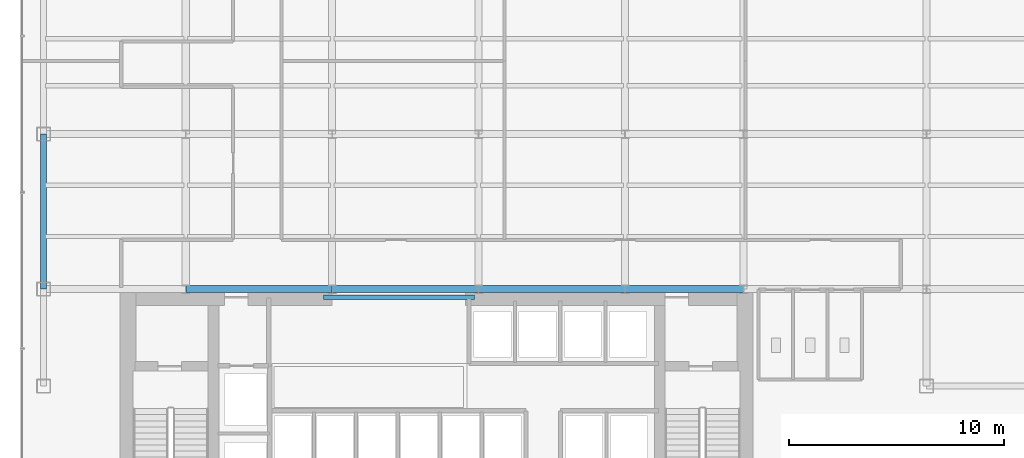
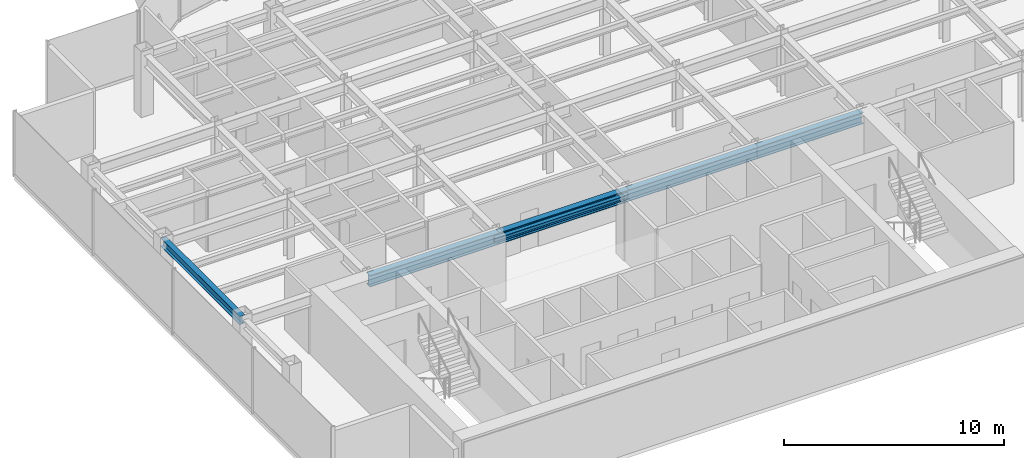
# One storey, part 4 of 25: 6 beams.
"""IFC4 building model written with IfcOpenShell, lengths in metres."""

from ifc_helpers import new_model, si_unit, derived_unit, direction, frame, origin, origin_2d, place, context, subcontext, project, spatial, i_section, extrude, source, transform, mapped, material, material_profile, profile_set, type_object, element, save


model = new_model("IFC4")

# Units and contexts
model_context = context("Model", 3, precision=1e-05, world=origin(), true_north=direction((0.0, 1.0)))
body_context = subcontext(model_context, "Body", "Model", "MODEL_VIEW")
ifc_project = project(units=[si_unit("LENGTHUNIT", "METRE"), si_unit("AREAUNIT", "SQUARE_METRE"), si_unit("VOLUMEUNIT", "CUBIC_METRE"), si_unit("PLANEANGLEUNIT", "RADIAN"), si_unit("MASSUNIT", "GRAM", prefix="KILO"), derived_unit("THERMALTRANSMITTANCEUNIT", [(si_unit("POWERUNIT", "WATT"), 1), (si_unit("LENGTHUNIT", "METRE"), -2), (si_unit("THERMODYNAMICTEMPERATUREUNIT", "KELVIN"), -1)])], contexts=[model_context])

# Site, building, storey
site_placement = place(None, origin())
site = spatial("IfcSite", under=ifc_project, at=site_placement, CompositionType="ELEMENT")
building_placement = place(site_placement, origin())
building = spatial("IfcBuilding", under=site, at=building_placement, Name="Skarnbrae Concourse Arena and Tower", CompositionType="ELEMENT")
storey_placement = place(building_placement, frame((0.0, 0.0, 169.800048828125)))
storey = spatial("IfcBuildingStorey", under=building, at=storey_placement, Name="L43", CompositionType="ELEMENT", Elevation=169.800048828125)

# Beams
ifc_material = material(Name="Steel CSA G40.21 350W", Category="steel")
ifc_material_profile_1 = material_profile(ifc_material, i_section(OverallWidth=0.202880859375, OverallDepth=0.251953125, WebThickness=0.008056640625, FlangeThickness=0.013427734375, at=origin_2d()), Name="W250X58")
ifc_profile_set_1 = profile_set([ifc_material_profile_1], Name="Steel CSA G40.21 350W")
beam_type_1 = type_object("IfcBeamType", Name="BM-LINTEL-W250X58", PredefinedType="LINTEL", material=ifc_profile_set_1)
shared_shape_1 = source(origin(), body_context, "Body", "SweptSolid", [
    extrude(i_section(OverallWidth=0.202880859375, OverallDepth=0.251953125, WebThickness=0.008056640625, FlangeThickness=0.013427734375, at=origin_2d()), origin(), (0.0, 0.0, 1.0), 7.0),
])
beam_1_placement = place(storey_placement, frame((14.0, 13.625, 3.27392578125), z_axis=(1.0, 0.0, 0.0), x_axis=(0.0, 1.0, 0.0)))
element("IfcBeam", 1, at=beam_1_placement, inside=storey, type_object=beam_type_1, Name="L43 Core portal coupling lintel", PredefinedType="LINTEL", context=body_context, shape_type="MappedRepresentation", body=[
    mapped(shared_shape_1, transform((0.0, 0.0, 0.0))),
])
ifc_material_profile_2 = material_profile(ifc_material, i_section(OverallWidth=0.3291015625, OverallDepth=0.635009765625, WebThickness=0.017822265625, FlangeThickness=0.031005859375, at=origin_2d()), Name="W610X241")
ifc_profile_set_2 = profile_set([ifc_material_profile_2], Name="Steel CSA G40.21 350W")
beam_type_2 = type_object("IfcBeamType", Name="BM-GIRD-W610X241", PredefinedType="BEAM", material=ifc_profile_set_2)
shared_shape_2 = source(origin(), body_context, "Body", "SweptSolid", [
    extrude(i_section(OverallWidth=0.3291015625, OverallDepth=0.635009765625, WebThickness=0.017822265625, FlangeThickness=0.031005859375, at=origin_2d()), origin(), (0.0, 0.0, 1.0), 6.7998046875),
])
beam_2_placement = place(storey_placement, frame((7.60009765625, 14.0, 3.08251953125), z_axis=(1.0, 0.0, 0.0), x_axis=(0.0, 1.0, 0.0)))
element("IfcBeam", 2, at=beam_2_placement, inside=storey, type_object=beam_type_2, Name="L43 Primary E-W girder Y14.0-2", PredefinedType="BEAM", context=body_context, shape_type="MappedRepresentation", body=[
    mapped(shared_shape_2, transform((0.0, 0.0, 0.0))),
])
shared_shape_3 = source(origin(), body_context, "Body", "SweptSolid", [
    extrude(i_section(OverallWidth=0.3291015625, OverallDepth=0.635009765625, WebThickness=0.017822265625, FlangeThickness=0.031005859375, at=origin_2d()), origin(), (0.0, 0.0, 1.0), 6.800048828125),
])
for number, where, z_axis, x_axis, name in (
    (3, (14.39990234375, 14.0, 3.08251953125), (1.0, 0.0, 0.0), (0.0, 1.0, 0.0), "L43 Primary E-W girder Y14.0-3"),
    (4, (21.199951171875, 14.0, 3.08251953125), (1.0, 0.0, 0.0), (0.0, 1.0, 0.0), "L43 Primary E-W girder Y14.0-4"),
):
    element("IfcBeam", number, at=place(storey_placement, frame(where, z_axis=z_axis, x_axis=x_axis)), inside=storey, type_object=beam_type_2, Name=name, PredefinedType="BEAM", context=body_context, shape_type="MappedRepresentation", body=[
        mapped(shared_shape_3, transform((0.0, 0.0, 0.0))),
    ])
shared_shape_4 = source(origin(), body_context, "Body", "SweptSolid", [
    extrude(i_section(OverallWidth=0.3291015625, OverallDepth=0.635009765625, WebThickness=0.017822265625, FlangeThickness=0.031005859375, at=origin_2d()), origin(), (0.0, 0.0, 1.0), 5.5),
])
beam_3_placement = place(storey_placement, frame((28.0, 14.0, 3.08251953125), z_axis=(1.0, 0.0, 0.0), x_axis=(0.0, 1.0, 0.0)))
element("IfcBeam", 5, at=beam_3_placement, inside=storey, type_object=beam_type_2, Name="L43 Primary E-W girder Y14.0-5", PredefinedType="BEAM", context=body_context, shape_type="MappedRepresentation", body=[
    mapped(shared_shape_4, transform((0.0, 0.0, 0.0))),
])
ifc_material_profile_3 = material_profile(ifc_material, i_section(OverallWidth=0.280029296875, OverallDepth=0.462890625, WebThickness=0.0107421875, FlangeThickness=0.017333984375, at=origin_2d()), Name="W460X113")
ifc_profile_set_3 = profile_set([ifc_material_profile_3], Name="Steel CSA G40.21 350W")
beam_type_3 = type_object("IfcBeamType", Name="BM-SPAN-W460X113", PredefinedType="SPANDREL", material=ifc_profile_set_3)
shared_shape_5 = source(origin(), body_context, "Body", "SweptSolid", [
    extrude(i_section(OverallWidth=0.280029296875, OverallDepth=0.462890625, WebThickness=0.0107421875, FlangeThickness=0.017333984375, at=origin_2d()), origin(), (0.0, 0.0, 1.0), 7.199951171875),
])
beam_4_placement = place(storey_placement, frame((1.0, 14.0, 3.16845703125), z_axis=(0.0, 1.0, 0.0), x_axis=(-1.0, 0.0, 0.0)))
element("IfcBeam", 6, at=beam_4_placement, inside=storey, type_object=beam_type_3, Name="L43 Perimeter spandrel X1.0-2", PredefinedType="SPANDREL", context=body_context, shape_type="MappedRepresentation", body=[
    mapped(shared_shape_5, transform((0.0, 0.0, 0.0))),
])

save(model, "model.ifc")
